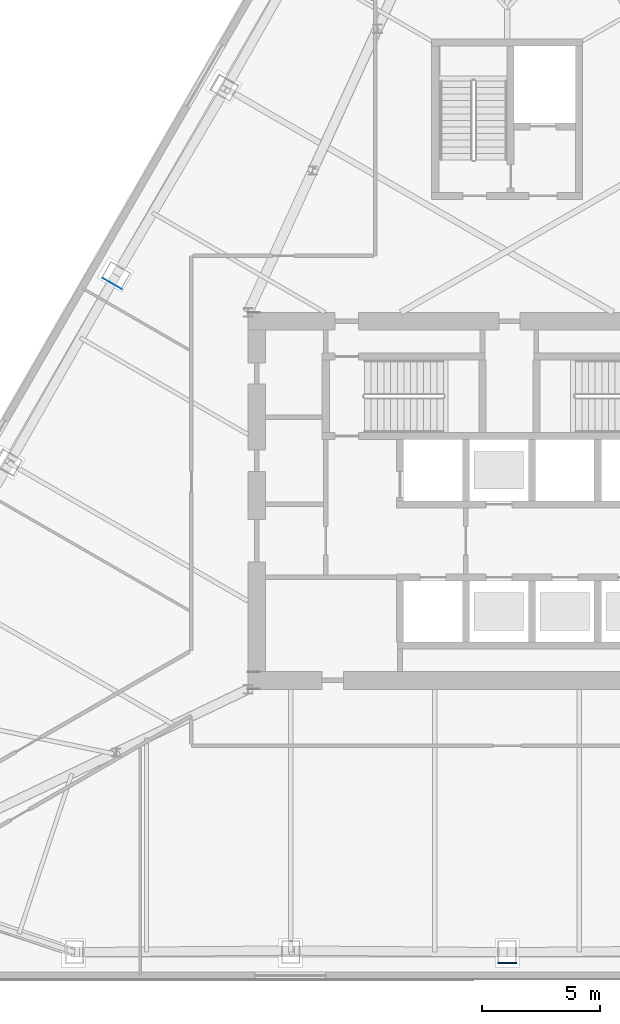
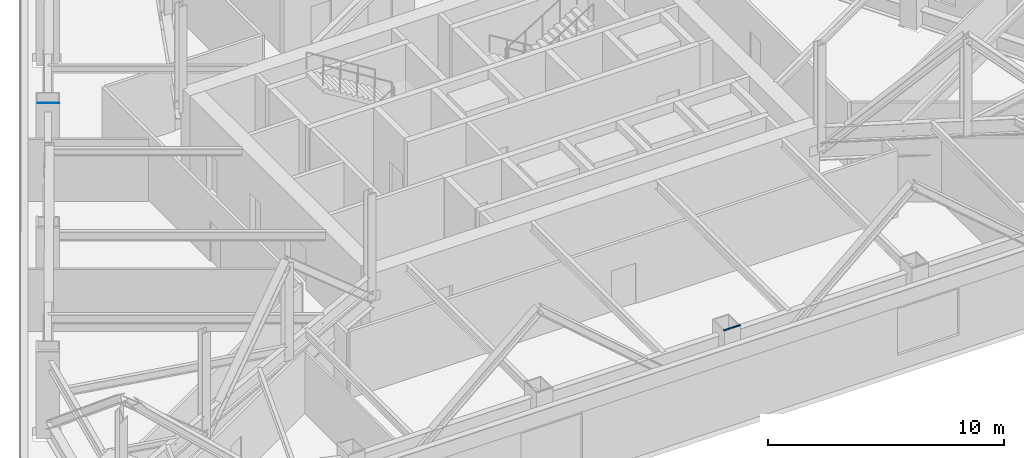
# One storey, part 6 of 13: 2 plates.
"""IFC4 building model written with IfcOpenShell, lengths in metres."""

from ifc_helpers import new_model, si_unit, direction, frame, origin, place, context, subcontext, project, spatial, polyline, outline, extrude, material, layer, layer_set, type_object, element, save


model = new_model("IFC4")

# Units and contexts
model_context = context("Model", 3, precision=1e-05, world=origin(), true_north=direction((0.0, 1.0)))
body_context = subcontext(model_context, "Body", "Model", "MODEL_VIEW")
ifc_project = project(units=[si_unit("LENGTHUNIT", "METRE"), si_unit("AREAUNIT", "SQUARE_METRE"), si_unit("VOLUMEUNIT", "CUBIC_METRE"), si_unit("PLANEANGLEUNIT", "RADIAN"), si_unit("MASSUNIT", "GRAM", prefix="KILO")], contexts=[model_context])

# Site, building, storey
site_placement = place(None, origin())
site = spatial("IfcSite", under=ifc_project, at=site_placement, CompositionType="ELEMENT")
building_placement = place(site_placement, origin())
building = spatial("IfcBuilding", under=site, at=building_placement, Name="Firuza Gate Tower and Library", CompositionType="ELEMENT")
storey_placement = place(building_placement, frame((0.0, 0.0, 146.800048828125)))
storey = spatial("IfcBuildingStorey", under=building, at=storey_placement, Name="L33", CompositionType="ELEMENT", Elevation=146.800048828125)

# Plates
ifc_material = material(Name="Steel S355", Category="steel")
ifc_layer = layer(ifc_material, 0.030029296875)
ifc_layer_set = layer_set([ifc_layer], Name="Column infill plate 30 Steel S355")
plate_type = type_object("IfcPlateType", Name="Column infill plate 30 Steel S355", PredefinedType="SHEET", material=ifc_layer_set)
placement = place(storey_placement, frame((0.0, 0.0, 4.5)))
element("IfcPlate", 1, at=placement, inside=storey, type_object=plate_type, Name="Infill plate L33:S3", PredefinedType="SHEET", context=body_context, shape_type="SweptSolid", body=[
    extrude(outline(polyline([(75.39990234375, 55.337158203125), (75.39990234375, 55.4091796875), (74.60009765625, 55.4091796875), (74.60009765625, 55.337158203125), (75.39990234375, 55.337158203125)])), origin(), (0.0, 0.0, 1.0), 0.030029296875),
])
element("IfcPlate", 2, at=placement, inside=storey, type_object=plate_type, Name="Infill plate L33:W3", PredefinedType="SHEET", context=body_context, shape_type="SweptSolid", body=[
    extrude(outline(polyline([(58.637451171875, 83.985107421875), (58.637451171875, 83.985107421875), (57.833984375, 84.448974609375), (58.23388671875, 85.141845703125), (58.17138671875, 85.177978515625), (57.771484375, 84.485107421875), (58.637451171875, 83.985107421875)])), origin(), (0.0, 0.0, 1.0), 0.030029296875),
])

save(model, "model.ifc")
